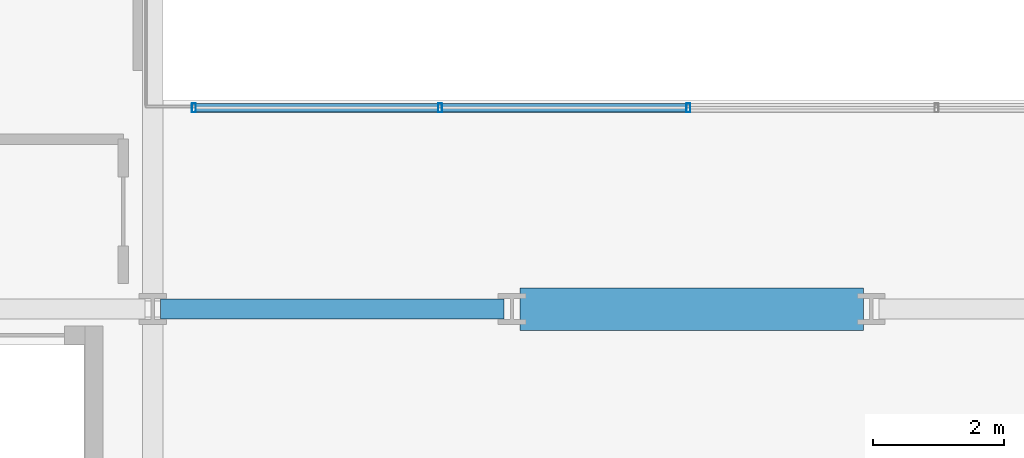
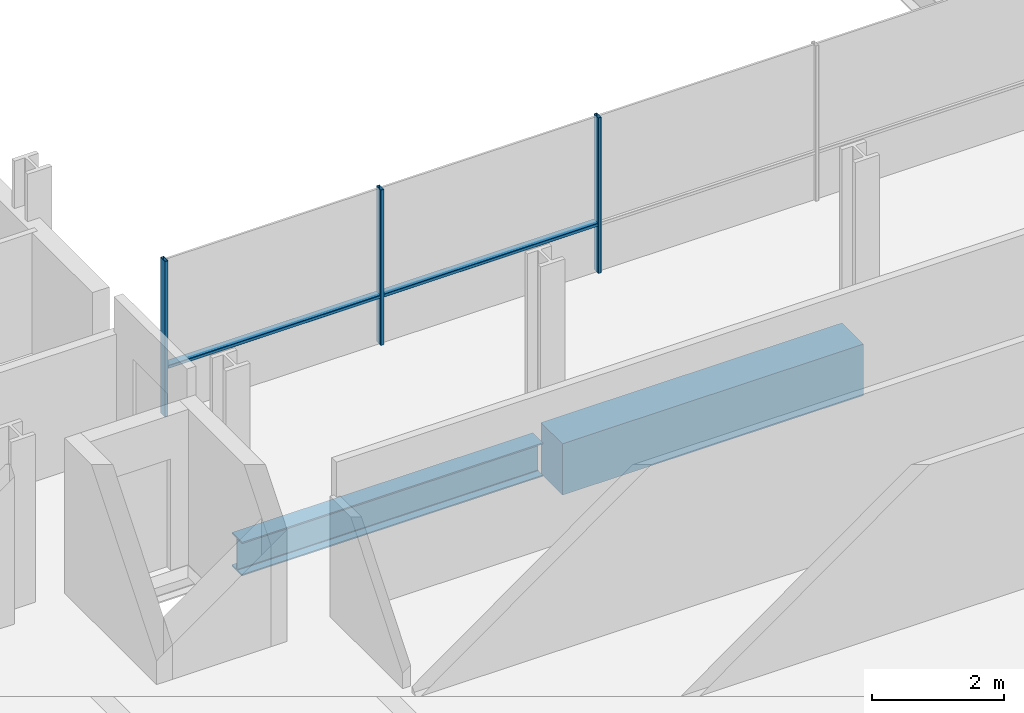
# One storey, part 4 of 38: 5 members, 2 beams, 1 element without a shape of its own.
"""IFC4 building model written with IfcOpenShell, lengths in metres."""

from ifc_helpers import new_model, si_unit, direction, frame, origin, origin_2d, place, context, subcontext, project, spatial, rectangle, hollow_rectangle, i_section, extrude, material, layer, layer_set, material_profile, profile_set, type_object, element, aggregate, save


model = new_model("IFC4")

# Units and contexts
model_context = context("Model", 3, precision=1e-05, world=origin(), true_north=direction((0.0, 1.0)))
body_context = subcontext(model_context, "Body", "Model", "MODEL_VIEW")
ifc_project = project(units=[si_unit("LENGTHUNIT", "METRE"), si_unit("AREAUNIT", "SQUARE_METRE"), si_unit("VOLUMEUNIT", "CUBIC_METRE"), si_unit("PLANEANGLEUNIT", "RADIAN"), si_unit("MASSUNIT", "GRAM", prefix="KILO")], contexts=[model_context])

# Site, building, storey
site_placement = place(None, origin())
site = spatial("IfcSite", under=ifc_project, at=site_placement, CompositionType="ELEMENT")
building_placement = place(site_placement, origin())
building = spatial("IfcBuilding", under=site, at=building_placement, Name="Brevholm Reach", CompositionType="ELEMENT")
storey_placement = place(building_placement, frame((0.0, 0.0, 59.0)))
storey = spatial("IfcBuildingStorey", under=building, at=storey_placement, Name="L16", CompositionType="ELEMENT", Elevation=59.0)

# Beams
ifc_material_1 = material(Name="Concrete C60/75", Category="concrete")
ifc_material_profile_1 = material_profile(ifc_material_1, rectangle(XDim=0.64990234375, YDim=0.949951171875, at=origin_2d()), Name="RC 650x950")
ifc_profile_set_1 = profile_set([ifc_material_profile_1], Name="Concrete C60/75")
beam_type_1 = type_object("IfcBeamType", Name="BM-CB650", PredefinedType="LINTEL", material=ifc_profile_set_1)
beam_1_placement = place(storey_placement, frame((27.3701171875, 10.0, -0.705078125), z_axis=(1.0, 0.0, 0.0), x_axis=(0.0, 1.0, 0.0)))
element("IfcBeam", 1, at=beam_1_placement, inside=storey, type_object=beam_type_1, Name="L16 CB-01 Framing Beam", PredefinedType="LINTEL", context=body_context, shape_type="SweptSolid", body=[
    extrude(rectangle(XDim=0.64990234375, YDim=0.949951171875, at=origin_2d()), origin(), (0.0, 0.0, 1.0), 5.259765625),
])
ifc_material_2 = material(Name="Structural Steel S355J2", Category="steel")
ifc_material_profile_2 = material_profile(ifc_material_2, i_section(OverallWidth=0.30712890625, OverallDepth=0.6201171875, WebThickness=0.01416015625, FlangeThickness=0.023681640625, FilletRadius=0.0166015625, at=origin_2d()), Name="UKB 610x305x179")
ifc_profile_set_2 = profile_set([ifc_material_profile_2], Name="Structural Steel S355J2")
beam_type_2 = type_object("IfcBeamType", Name="BM-UKB610H", PredefinedType="USERDEFINED", material=ifc_profile_set_2)
beam_2_placement = place(storey_placement, frame((21.8701171875, 10.0, -0.5400390625), z_axis=(1.0, 0.0, 0.0), x_axis=(0.0, 1.0, 0.0)))
element("IfcBeam", 2, at=beam_2_placement, inside=storey, type_object=beam_type_2, Name="L16 G-06 Framing Beam", ObjectType="GIRDER", PredefinedType="USERDEFINED", context=body_context, shape_type="SweptSolid", body=[
    extrude(i_section(OverallWidth=0.30712890625, OverallDepth=0.6201171875, WebThickness=0.01416015625, FlangeThickness=0.023681640625, FilletRadius=0.0166015625, at=origin_2d()), origin(), (0.0, 0.0, 1.0), 5.259765625),
])

# Curtain wall, members
ifc_material_3 = material(Name="Dark Anodised Aluminium 6063-T6 and Solar-Control Glass", Category="aluminium")
ifc_layer = layer(ifc_material_3, 0.139892578125)
ifc_layer_set = layer_set([ifc_layer], Name="Dark Anodised Aluminium 6063-T6 and Solar-Control Glass")
curtain_wall_type = type_object("IfcCurtainWallType", Name="CW-02", PredefinedType="NOTDEFINED", material=ifc_layer_set)
curtain_wall_placement = place(storey_placement, origin())
curtain_wall = element("IfcCurtainWall", 3, at=curtain_wall_placement, inside=storey, type_object=curtain_wall_type, Name="L16 Curtain Wall CW-02", PredefinedType="NOTDEFINED")
ifc_material_4 = material(Name="Dark Anodised Aluminium 6063-T6", Category="aluminium")
ifc_material_profile_3 = material_profile(ifc_material_4, hollow_rectangle(XDim=0.06005859375, YDim=0.139892578125, WallThickness=0.0048828125, InnerFilletRadius=0.0048828125, OuterFilletRadius=0.010009765625, at=origin_2d()), Name="RHS 140x60x5")
ifc_profile_set_3 = profile_set([ifc_material_profile_3], Name="Dark Anodised Aluminium 6063-T6")
member_type_1 = type_object("IfcMemberType", Name="CWM-140", PredefinedType="MULLION", material=ifc_profile_set_3)
member_1_placement = place(storey_placement, frame((22.3798828125, 13.080078125, 0.0), z_axis=(0.0, 0.0, 1.0), x_axis=(1.0, 0.0, 0.0)))
member_1 = element("IfcMember", 4, at=member_1_placement, type_object=member_type_1, Name="CM-140 Mullion 1", PredefinedType="MULLION", context=body_context, shape_type="SweptSolid", body=[
    extrude(hollow_rectangle(XDim=0.06005859375, YDim=0.139892578125, WallThickness=0.0048828125, InnerFilletRadius=0.0048828125, OuterFilletRadius=0.010009765625, at=origin_2d()), origin(), (0.0, 0.0, 1.0), 2.8701171875),
])
member_2_placement = place(storey_placement, frame((26.14990234375, 13.080078125, 0.0), z_axis=(0.0, 0.0, 1.0), x_axis=(1.0, 0.0, 0.0)))
member_2 = element("IfcMember", 5, at=member_2_placement, type_object=member_type_1, Name="CM-140 Mullion 2", PredefinedType="MULLION", context=body_context, shape_type="SweptSolid", body=[
    extrude(hollow_rectangle(XDim=0.06005859375, YDim=0.139892578125, WallThickness=0.0048828125, InnerFilletRadius=0.0048828125, OuterFilletRadius=0.010009765625, at=origin_2d()), origin(), (0.0, 0.0, 1.0), 2.8701171875),
])
member_3_placement = place(storey_placement, frame((29.949951171875, 13.080078125, 0.0), z_axis=(0.0, 0.0, 1.0), x_axis=(1.0, 0.0, 0.0)))
member_3 = element("IfcMember", 6, at=member_3_placement, type_object=member_type_1, Name="CM-140 Mullion 3", PredefinedType="MULLION", context=body_context, shape_type="SweptSolid", body=[
    extrude(hollow_rectangle(XDim=0.06005859375, YDim=0.139892578125, WallThickness=0.0048828125, InnerFilletRadius=0.0048828125, OuterFilletRadius=0.010009765625, at=origin_2d()), origin(), (0.0, 0.0, 1.0), 2.8701171875),
])
ifc_material_5 = material(Name="Dark Anodised Aluminium 6063-T6", Category="aluminium")
ifc_material_profile_4 = material_profile(ifc_material_5, hollow_rectangle(XDim=0.06005859375, YDim=0.139892578125, WallThickness=0.0048828125, InnerFilletRadius=0.0048828125, OuterFilletRadius=0.010009765625, at=origin_2d()), Name="RHS 140x60x5")
ifc_profile_set_4 = profile_set([ifc_material_profile_4], Name="Dark Anodised Aluminium 6063-T6")
member_type_2 = type_object("IfcMemberType", Name="CWT-140", PredefinedType="NOTDEFINED", material=ifc_profile_set_4)
member_4_placement = place(storey_placement, frame((22.409912109375, 13.080078125, 0.89990234375), z_axis=(1.0, 0.0, 0.0), x_axis=(0.0, 0.0, 1.0)))
member_4 = element("IfcMember", 7, at=member_4_placement, type_object=member_type_2, Name="CT-140 Transom 1.1", ObjectType="TRANSOM", PredefinedType="USERDEFINED", context=body_context, shape_type="SweptSolid", body=[
    extrude(hollow_rectangle(XDim=0.06005859375, YDim=0.139892578125, WallThickness=0.0048828125, InnerFilletRadius=0.0048828125, OuterFilletRadius=0.010009765625, at=origin_2d()), origin(), (0.0, 0.0, 1.0), 3.710205078125),
])
member_5_placement = place(storey_placement, frame((26.179931640625, 13.080078125, 0.89990234375), z_axis=(1.0, 0.0, 0.0), x_axis=(0.0, 0.0, 1.0)))
member_5 = element("IfcMember", 8, at=member_5_placement, type_object=member_type_2, Name="CT-140 Transom 2.1", ObjectType="TRANSOM", PredefinedType="USERDEFINED", context=body_context, shape_type="SweptSolid", body=[
    extrude(hollow_rectangle(XDim=0.06005859375, YDim=0.139892578125, WallThickness=0.0048828125, InnerFilletRadius=0.0048828125, OuterFilletRadius=0.010009765625, at=origin_2d()), origin(), (0.0, 0.0, 1.0), 3.739990234375),
])
aggregate(curtain_wall, [member_1, member_2, member_3, member_4, member_5])

save(model, "model.ifc")
